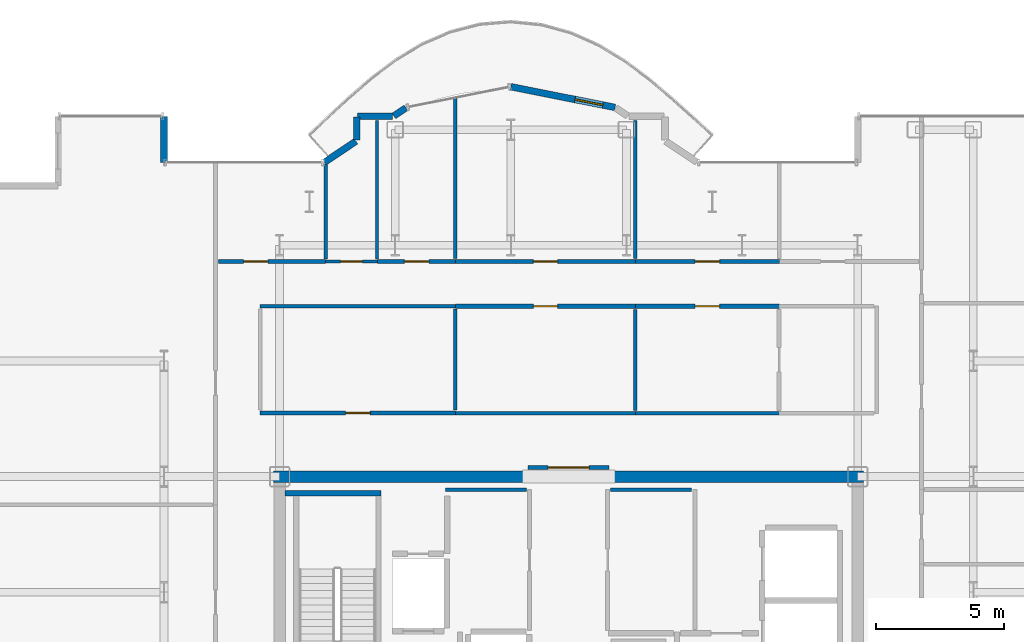
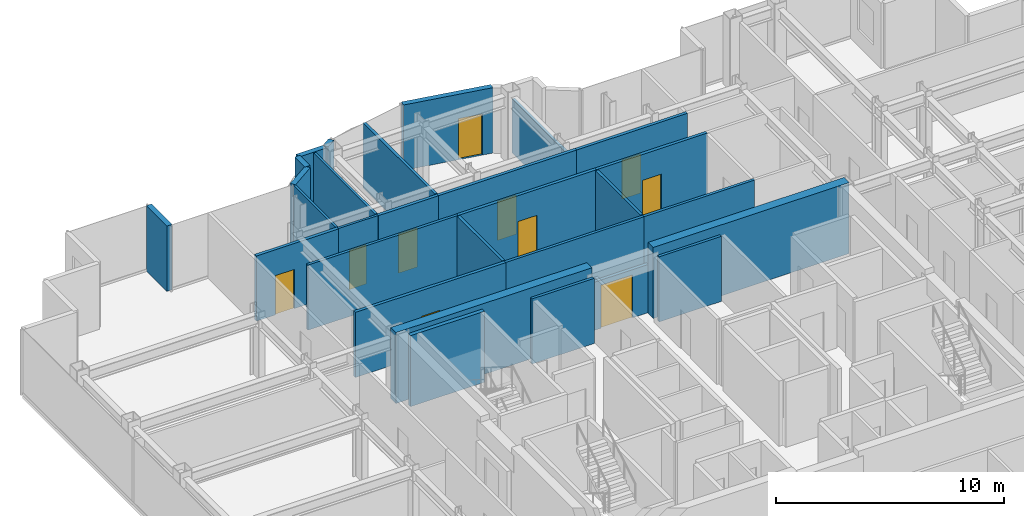
# One storey, part 18 of 21: 29 walls, 10 doors, 10 openings.
"""IFC4 building model written with IfcOpenShell, lengths in metres."""

from ifc_helpers import new_model, si_unit, direction, frame, frame_2d, origin, place, context, subcontext, project, spatial, rectangle, extrude, source, transform, mapped, material, layer, layer_set, type_object, element, fill, save


model = new_model("IFC4")

# Units and contexts
model_context = context("Model", 3, precision=1e-05, world=origin(), true_north=direction((0.0, 1.0)))
body_context = subcontext(model_context, "Body", "Model", "MODEL_VIEW")
ifc_project = project(units=[si_unit("LENGTHUNIT", "METRE"), si_unit("AREAUNIT", "SQUARE_METRE"), si_unit("VOLUMEUNIT", "CUBIC_METRE"), si_unit("PLANEANGLEUNIT", "RADIAN"), si_unit("MASSUNIT", "GRAM", prefix="KILO")], contexts=[model_context])

# Site, building, storey
site_placement = place(None, origin())
site = spatial("IfcSite", under=ifc_project, at=site_placement, CompositionType="ELEMENT")
building_placement = place(site_placement, origin())
building = spatial("IfcBuilding", under=site, at=building_placement, Name="Nefas-Gora Pilgrimage Tower", CompositionType="ELEMENT")
storey_placement = place(building_placement, frame((0.0, 0.0, 256.0)))
storey = spatial("IfcBuildingStorey", under=building, at=storey_placement, Name="L64", CompositionType="ELEMENT", Elevation=256.0)

# Walls
ifc_material_1 = material(Name="Concrete C50/60", Category="concrete")
ifc_layer_1 = layer(ifc_material_1, 0.449951171875)
ifc_layer_set_1 = layer_set([ifc_layer_1], Name="Concrete C50/60")
wall_type_1 = type_object("IfcWallType", Name="SW-CORE-450", PredefinedType="SHEAR", material=ifc_layer_set_1)
shared_shape_1 = source(origin(), body_context, "Body", "SweptSolid", [
    extrude(rectangle(XDim=9.925048828125, YDim=0.449951171875, at=frame_2d((4.96240234375, 0.0))), origin(), (0.0, 0.0, 1.0), 3.800048828125),
])
for number, where, z_axis, x_axis, name in (
    (1, (-11.47509765625, 9.0, 0.0), (0.0, 0.0, 1.0), (1.0, 0.0, 0.0), "L64 Core Shear Wall N-West"),
    (2, (1.550048828125, 9.0, 0.0), (0.0, 0.0, 1.0), (1.0, 0.0, 0.0), "L64 Core Shear Wall N-East"),
):
    element("IfcWall", number, at=place(storey_placement, frame(where, z_axis=z_axis, x_axis=x_axis)), inside=storey, type_object=wall_type_1, Name=name, PredefinedType="SHEAR", context=body_context, shape_type="MappedRepresentation", body=[
        mapped(shared_shape_1, transform((0.0, 0.0, 0.0), x_axis=(1.0, 0.0, 0.0), y_axis=(0.0, 1.0, 0.0), z_axis=(0.0, 0.0, 1.0), scale=1.0)),
    ])
ifc_material_2 = material(Name="Precast concrete C40/50", Category="concrete")
ifc_layer_2 = layer(ifc_material_2, 0.260009765625)
ifc_layer_set_2 = layer_set([ifc_layer_2], Name="Precast concrete C40/50")
wall_type_2 = type_object("IfcWallType", Name="EW-PORTAL-260", PredefinedType="SOLIDWALL", material=ifc_layer_set_2)
shared_shape_2 = source(origin(), body_context, "Body", "SweptSolid", [
    extrude(rectangle(XDim=1.800048828125, YDim=0.260009765625, at=frame_2d((0.89990234375, 0.0))), origin(), (0.0, 0.0, 1.0), 3.5),
])
wall_1_placement = place(storey_placement, frame((-15.75, 21.219970703125, 0.0), z_axis=(0.0, 0.0, 1.0), x_axis=(0.0, 1.0, 0.0)))
element("IfcWall", 3, at=wall_1_placement, inside=storey, type_object=wall_type_2, Name="L64 Lobe Shoulder Precast Spandrel Pier 20", PredefinedType="SOLIDWALL", context=body_context, shape_type="MappedRepresentation", body=[
    mapped(shared_shape_2, transform((0.0, 0.0, 0.0), x_axis=(1.0, 0.0, 0.0), y_axis=(0.0, 1.0, 0.0), z_axis=(0.0, 0.0, 1.0), scale=1.0)),
])
shared_shape_3 = source(origin(), body_context, "Body", "SweptSolid", [
    extrude(rectangle(XDim=1.468994140625, YDim=0.260009765625, at=frame_2d((0.734375, 0.0))), origin(), (0.0, 0.0, 1.0), 3.5),
])
wall_2_placement = place(storey_placement, frame((-8.273193359375, 22.0517578125, 0.0), z_axis=(0.0, 0.0, 1.0), x_axis=(-0.831461760506, -0.555581983884, 0.0)))
element("IfcWall", 4, at=wall_2_placement, inside=storey, type_object=wall_type_2, Name="L64 Lobe Shoulder Precast Spandrel Pier 19", PredefinedType="SOLIDWALL", context=body_context, shape_type="MappedRepresentation", body=[
    mapped(shared_shape_3, transform((0.0, 0.0, 0.0), x_axis=(1.0, 0.0, 0.0), y_axis=(0.0, 1.0, 0.0), z_axis=(0.0, 0.0, 1.0), scale=1.0)),
])
shared_shape_4 = source(origin(), body_context, "Body", "SweptSolid", [
    extrude(rectangle(XDim=0.896728515625, YDim=0.260009765625, at=frame_2d((0.4482421875, 0.0))), origin(), (0.0, 0.0, 1.0), 3.5),
])
wall_3_placement = place(storey_placement, frame((-8.25, 22.991943359375, 0.0), z_axis=(0.0, 0.0, 1.0), x_axis=(0.0, -1.0, 0.0)))
element("IfcWall", 5, at=wall_3_placement, inside=storey, type_object=wall_type_2, Name="L64 Lobe Shoulder Precast Spandrel Pier 18", PredefinedType="SOLIDWALL", context=body_context, shape_type="MappedRepresentation", body=[
    mapped(shared_shape_4, transform((0.0, 0.0, 0.0), x_axis=(1.0, 0.0, 0.0), y_axis=(0.0, 1.0, 0.0), z_axis=(0.0, 0.0, 1.0), scale=1.0)),
])
shared_shape_5 = source(origin(), body_context, "Body", "SweptSolid", [
    extrude(rectangle(XDim=1.369873046875, YDim=0.260009765625, at=frame_2d((0.68505859375, 0.0))), origin(), (0.0, 0.0, 1.0), 3.5),
])
wall_4_placement = place(storey_placement, frame((-6.85205078125, 23.02001953125, 0.0), z_axis=(0.0, 0.0, 1.0), x_axis=(-1.0, 0.0, 0.0)))
element("IfcWall", 6, at=wall_4_placement, inside=storey, type_object=wall_type_2, Name="L64 Lobe Shoulder Precast Spandrel Pier 17", PredefinedType="SOLIDWALL", context=body_context, shape_type="MappedRepresentation", body=[
    mapped(shared_shape_5, transform((0.0, 0.0, 0.0), x_axis=(1.0, 0.0, 0.0), y_axis=(0.0, 1.0, 0.0), z_axis=(0.0, 0.0, 1.0), scale=1.0)),
])
shared_shape_6 = source(origin(), body_context, "Body", "SweptSolid", [
    extrude(rectangle(XDim=0.5654296875, YDim=0.260009765625, at=frame_2d((0.28271484375, 0.0))), origin(), (0.0, 0.0, 1.0), 3.5),
])
wall_5_placement = place(storey_placement, frame((-6.33056640625, 23.349609375, 0.0), z_axis=(0.0, 0.0, 1.0), x_axis=(-0.831651492666, -0.555297933317, 0.0)))
element("IfcWall", 7, at=wall_5_placement, inside=storey, type_object=wall_type_2, Name="L64 Lobe Shoulder Precast Spandrel Pier 16", PredefinedType="SOLIDWALL", context=body_context, shape_type="MappedRepresentation", body=[
    mapped(shared_shape_6, transform((0.0, 0.0, 0.0), x_axis=(1.0, 0.0, 0.0), y_axis=(0.0, 1.0, 0.0), z_axis=(0.0, 0.0, 1.0), scale=1.0)),
])

# Wall, opening, door
shared_shape_7 = source(origin(), body_context, "Body", "SweptSolid", [
    extrude(rectangle(XDim=4.136962890625, YDim=0.260009765625, at=frame_2d((2.068359375, 0.0))), origin(), (0.0, 0.0, 1.0), 3.5),
])
wall_6_placement = place(storey_placement, frame((1.807373046875, 23.365234375, 0.0), z_axis=(0.0, 0.0, 1.0), x_axis=(-0.980782170794, 0.195105954428, 0.0)))
wall_6 = element("IfcWall", 8, at=wall_6_placement, inside=storey, type_object=wall_type_2, Name="L64 Insulated Terrace Portal Wall 15", PredefinedType="SOLIDWALL", context=body_context, shape_type="MappedRepresentation", body=[
    mapped(shared_shape_7, transform((0.0, 0.0, 0.0), x_axis=(1.0, 0.0, 0.0), y_axis=(0.0, 1.0, 0.0), z_axis=(0.0, 0.0, 1.0), scale=1.0)),
])
opening_1_placement = place(wall_6_placement, frame((0.48779296875, 0.0, 0.0)))
opening_1 = element("IfcOpeningElement", 9, at=opening_1_placement, cuts=wall_6, Name="Opening ED-B1", PredefinedType="OPENING", context=body_context, shape_type="SweptSolid", body=[
    extrude(rectangle(XDim=1.10009765625, YDim=2.199951171875, at=frame_2d((0.550048828125, 1.10009765625))), frame((0.0, 0.139892578125, 0.0), z_axis=(0.0, -1.0, 0.0), x_axis=(1.0, 0.0, 0.0)), (0.0, 0.0, 1.0), 0.280029296875),
])
ifc_material_3 = material(Name="Thermally broken glazed aluminium balcony door", Category="aluminium")
door_type_1 = type_object("IfcDoorType", Name="DR-EXT-BAL-1100", OperationType="NOTDEFINED", PredefinedType="DOOR", material=ifc_material_3)
shared_shape_8 = source(origin(), body_context, "Body", "SweptSolid", [
    extrude(rectangle(XDim=1.10009765625, YDim=2.199951171875, at=frame_2d((0.550048828125, 1.10009765625))), frame((0.0, 0.02490234375, 0.0), z_axis=(0.0, -1.0, 0.0), x_axis=(1.0, 0.0, 0.0)), (0.0, 0.0, 1.0), 0.050048828125),
])
door_1_placement = place(opening_1_placement, origin())
door_1 = element("IfcDoor", 10, at=door_1_placement, inside=storey, type_object=door_type_1, Name="L64 Exterior Door (L64 N Lobe Wave Balcony)", OperationType="SINGLE_SWING_LEFT", OverallHeight=2.199951171875, OverallWidth=1.10009765625, PredefinedType="DOOR", context=body_context, shape_type="MappedRepresentation", body=[
    mapped(shared_shape_8, transform((0.0, 0.0, 0.0), x_axis=(1.0, 0.0, 0.0), y_axis=(0.0, 1.0, 0.0), z_axis=(0.0, 0.0, 1.0), scale=1.0)),
])
fill(opening_1, door_1)

# Wall
ifc_material_4 = material(Name="Concrete C45/55", Category="concrete")
ifc_layer_3 = layer(ifc_material_4, 0.199951171875)
ifc_layer_set_3 = layer_set([ifc_layer_3], Name="Concrete C45/55")
wall_type_3 = type_object("IfcWallType", Name="IW-STAIR-200", PredefinedType="SOLIDWALL", material=ifc_layer_set_3)
shared_shape_9 = source(origin(), body_context, "Body", "SweptSolid", [
    extrude(rectangle(XDim=3.72998046875, YDim=0.199951171875, at=frame_2d((1.864990234375, 0.0))), origin(), (0.0, 0.0, 1.0), 3.800048828125),
])
wall_7_placement = place(storey_placement, frame((-7.300048828125, 8.35009765625, 0.0), z_axis=(0.0, 0.0, 1.0), x_axis=(-1.0, 0.0, 0.0)))
element("IfcWall", 11, at=wall_7_placement, inside=storey, type_object=wall_type_3, Name="L64 Stairwell Shear Wall ST-01-far", PredefinedType="SOLIDWALL", context=body_context, shape_type="MappedRepresentation", body=[
    mapped(shared_shape_9, transform((0.0, 0.0, 0.0), x_axis=(1.0, 0.0, 0.0), y_axis=(0.0, 1.0, 0.0), z_axis=(0.0, 0.0, 1.0), scale=1.0)),
])

# Wall, opening, door
ifc_material_5 = material(Name="Moisture-resistant fire-rated gypsum partition")
ifc_layer_4 = layer(ifc_material_5, 0.1201171875)
ifc_layer_set_4 = layer_set([ifc_layer_4], Name="Moisture-resistant fire-rated gypsum partition")
wall_type_4 = type_object("IfcWallType", Name="IW-WET-120", PredefinedType="PLUMBINGWALL", material=ifc_layer_set_4)
shared_shape_10 = source(origin(), body_context, "Body", "SweptSolid", [
    extrude(rectangle(XDim=2.02001953125, YDim=0.1201171875, at=frame_2d((1.010009765625, 0.0))), origin(), (0.0, 0.0, 1.0), 3.485107421875),
])
wall_8_placement = place(storey_placement, frame((-9.4599609375, 17.3701171875, 0.0), z_axis=(0.0, 0.0, 1.0), x_axis=(1.0, 0.0, 0.0)))
wall_8 = element("IfcWall", 12, at=wall_8_placement, inside=storey, type_object=wall_type_4, Name="L64 Accessible Unisex WC Partition Wall 25", PredefinedType="PLUMBINGWALL", context=body_context, shape_type="MappedRepresentation", body=[
    mapped(shared_shape_10, transform((0.0, 0.0, 0.0), x_axis=(1.0, 0.0, 0.0), y_axis=(0.0, 1.0, 0.0), z_axis=(0.0, 0.0, 1.0), scale=1.0)),
])
opening_2_placement = place(wall_8_placement, frame((0.5849609375, 0.0, 0.0)))
opening_2 = element("IfcOpeningElement", 13, at=opening_2_placement, cuts=wall_8, Name="Opening ID-BT1", PredefinedType="OPENING", context=body_context, shape_type="SweptSolid", body=[
    extrude(rectangle(XDim=0.85009765625, YDim=2.10009765625, at=frame_2d((0.425048828125, 1.050048828125))), frame((0.0, 0.070068359375, 0.0), z_axis=(0.0, -1.0, 0.0), x_axis=(1.0, 0.0, 0.0)), (0.0, 0.0, 1.0), 0.14013671875),
])
ifc_material_6 = material(Name="Moisture-resistant fire-rated timber door", Category="wood")
door_type_2 = type_object("IfcDoorType", Name="DR-INT-BATH-850", OperationType="NOTDEFINED", PredefinedType="DOOR", material=ifc_material_6)
shared_shape_11 = source(origin(), body_context, "Body", "SweptSolid", [
    extrude(rectangle(XDim=0.85009765625, YDim=2.10009765625, at=frame_2d((0.425048828125, 1.050048828125))), frame((0.0, 0.02490234375, 0.0), z_axis=(0.0, -1.0, 0.0), x_axis=(1.0, 0.0, 0.0)), (0.0, 0.0, 1.0), 0.050048828125),
])
door_2_placement = place(opening_2_placement, origin())
door_2 = element("IfcDoor", 14, at=door_2_placement, inside=storey, type_object=door_type_2, Name="L64 Accessible Unisex WC Door 10", OperationType="SINGLE_SWING_RIGHT", OverallHeight=2.10009765625, OverallWidth=0.85009765625, PredefinedType="DOOR", context=body_context, shape_type="MappedRepresentation", body=[
    mapped(shared_shape_11, transform((0.0, 0.0, 0.0), x_axis=(1.0, 0.0, 0.0), y_axis=(0.0, 1.0, 0.0), z_axis=(0.0, 0.0, 1.0), scale=1.0)),
])
fill(opening_2, door_2)

# Walls
ifc_material_7 = material(Name="Gypsum twin-stud partition")
ifc_layer_5 = layer(ifc_material_7, 0.139892578125)
ifc_layer_set_5 = layer_set([ifc_layer_5], Name="Gypsum twin-stud partition")
wall_type_5 = type_object("IfcWallType", Name="IW-UNIT-140", PredefinedType="PARTITIONING", material=ifc_layer_set_5)
shared_shape_12 = source(origin(), body_context, "Body", "SweptSolid", [
    extrude(rectangle(XDim=3.150146484375, YDim=0.139892578125, at=frame_2d((1.5751953125, 0.0))), origin(), (0.0, 0.0, 1.0), 3.485107421875),
])
for number, where, z_axis, x_axis, name in (
    (15, (-4.7900390625, 8.47998046875, 0.0), (0.0, 0.0, 1.0), (1.0, 0.0, 0.0), "L64 Housekeeping and Linen Store Partition Wall 19"),
    (16, (1.639892578125, 8.47998046875, 0.0), (0.0, 0.0, 1.0), (1.0, 0.0, 0.0), "L64 Freed Bank-1 Amenity Supply Store Partition Wall 24"),
):
    element("IfcWall", number, at=place(storey_placement, frame(where, z_axis=z_axis, x_axis=x_axis)), inside=storey, type_object=wall_type_5, Name=name, PredefinedType="PARTITIONING", context=body_context, shape_type="MappedRepresentation", body=[
        mapped(shared_shape_12, transform((0.0, 0.0, 0.0), x_axis=(1.0, 0.0, 0.0), y_axis=(0.0, 1.0, 0.0), z_axis=(0.0, 0.0, 1.0), scale=1.0)),
    ])

# Wall, opening, door
ifc_material_8 = material(Name="Gypsum acoustic stud partition")
ifc_layer_6 = layer(ifc_material_8, 0.159912109375)
ifc_layer_set_6 = layer_set([ifc_layer_6], Name="Gypsum acoustic stud partition")
wall_type_6 = type_object("IfcWallType", Name="IW-CORR-160", PredefinedType="PARTITIONING", material=ifc_layer_set_6)
shared_shape_13 = source(origin(), body_context, "Body", "SweptSolid", [
    extrude(rectangle(XDim=5.610107421875, YDim=0.159912109375, at=frame_2d((2.80517578125, 0.0))), origin(), (0.0, 0.0, 1.0), 3.485107421875),
])
wall_9_placement = place(storey_placement, frame((2.594970703125, 17.3701171875, 0.0), z_axis=(0.0, 0.0, 1.0), x_axis=(1.0, 0.0, 0.0)))
wall_9 = element("IfcWall", 17, at=wall_9_placement, inside=storey, type_object=wall_type_6, Name="L64 Pilgrim Contemplative Lounge Partition Wall 66", PredefinedType="PARTITIONING", context=body_context, shape_type="MappedRepresentation", body=[
    mapped(shared_shape_13, transform((0.0, 0.0, 0.0), x_axis=(1.0, 0.0, 0.0), y_axis=(0.0, 1.0, 0.0), z_axis=(0.0, 0.0, 1.0), scale=1.0)),
])
opening_3_placement = place(wall_9_placement, frame((2.330078125, 0.0, 0.0)))
opening_3 = element("IfcOpeningElement", 18, at=opening_3_placement, cuts=wall_9, Name="Opening ID-GR1", PredefinedType="OPENING", context=body_context, shape_type="SweptSolid", body=[
    extrude(rectangle(XDim=0.949951171875, YDim=2.10009765625, at=frame_2d((0.47509765625, 1.050048828125))), frame((0.0, 0.08984375, 0.0), z_axis=(0.0, -1.0, 0.0), x_axis=(1.0, 0.0, 0.0)), (0.0, 0.0, 1.0), 0.179931640625),
])
ifc_material_9 = material(Name="Solid core oak fire-rated guest entrance door")
door_type_3 = type_object("IfcDoorType", Name="DR-INT-GUEST-950", OperationType="NOTDEFINED", PredefinedType="DOOR", material=ifc_material_9)
shared_shape_14 = source(origin(), body_context, "Body", "SweptSolid", [
    extrude(rectangle(XDim=0.949951171875, YDim=2.10009765625, at=frame_2d((0.47509765625, 1.050048828125))), frame((0.0, 0.02490234375, 0.0), z_axis=(0.0, -1.0, 0.0), x_axis=(1.0, 0.0, 0.0)), (0.0, 0.0, 1.0), 0.050048828125),
])
door_3_placement = place(opening_3_placement, origin())
door_3 = element("IfcDoor", 19, at=door_3_placement, inside=storey, type_object=door_type_3, Name="L64 Pilgrim Contemplative Lounge Door 30", OperationType="SINGLE_SWING_RIGHT", OverallHeight=2.10009765625, OverallWidth=0.949951171875, PredefinedType="DOOR", context=body_context, shape_type="MappedRepresentation", body=[
    mapped(shared_shape_14, transform((0.0, 0.0, 0.0), x_axis=(1.0, 0.0, 0.0), y_axis=(0.0, 1.0, 0.0), z_axis=(0.0, 0.0, 1.0), scale=1.0)),
])
fill(opening_3, door_3)

wall_10_placement = place(storey_placement, frame((2.594970703125, 15.6298828125, 0.0), z_axis=(0.0, 0.0, 1.0), x_axis=(1.0, 0.0, 0.0)))
wall_10 = element("IfcWall", 20, at=wall_10_placement, inside=storey, type_object=wall_type_6, Name="L64 Pilgrim Contemplative Lounge Partition Wall 68", PredefinedType="PARTITIONING", context=body_context, shape_type="MappedRepresentation", body=[
    mapped(shared_shape_13, transform((0.0, 0.0, 0.0), x_axis=(1.0, 0.0, 0.0), y_axis=(0.0, 1.0, 0.0), z_axis=(0.0, 0.0, 1.0), scale=1.0)),
])
opening_4_placement = place(wall_10_placement, frame((2.330078125, 0.0, 0.0)))
opening_4 = element("IfcOpeningElement", 21, at=opening_4_placement, cuts=wall_10, Name="Opening ID-GR1", PredefinedType="OPENING", context=body_context, shape_type="SweptSolid", body=[
    extrude(rectangle(XDim=0.949951171875, YDim=2.10009765625, at=frame_2d((0.47509765625, 1.050048828125))), frame((0.0, 0.08984375, 0.0), z_axis=(0.0, -1.0, 0.0), x_axis=(1.0, 0.0, 0.0)), (0.0, 0.0, 1.0), 0.179931640625),
])
door_4_placement = place(opening_4_placement, origin())
door_4 = element("IfcDoor", 22, at=door_4_placement, inside=storey, type_object=door_type_3, Name="L64 Pilgrim Contemplative Lounge Door 31", OperationType="SINGLE_SWING_LEFT", OverallHeight=2.10009765625, OverallWidth=0.949951171875, PredefinedType="DOOR", context=body_context, shape_type="MappedRepresentation", body=[
    mapped(shared_shape_14, transform((0.0, 0.0, 0.0), x_axis=(1.0, 0.0, 0.0), y_axis=(0.0, 1.0, 0.0), z_axis=(0.0, 0.0, 1.0), scale=1.0)),
])
fill(opening_4, door_4)

# Walls
shared_shape_15 = source(origin(), body_context, "Body", "SweptSolid", [
    extrude(rectangle(XDim=5.360107421875, YDim=0.139892578125, at=frame_2d((2.68017578125, 0.0))), origin(), (0.0, 0.0, 1.0), 2.875),
])
wall_11_placement = place(storey_placement, frame((2.594970703125, 17.489990234375, 0.0), z_axis=(0.0, 0.0, 1.0), x_axis=(0.0, 1.0, 0.0)))
element("IfcWall", 23, at=wall_11_placement, inside=storey, type_object=wall_type_5, Name="L64 Pilgrim Contemplative Lounge Partition Wall 62", PredefinedType="PARTITIONING", context=body_context, shape_type="MappedRepresentation", body=[
    mapped(shared_shape_15, transform((0.0, 0.0, 0.0), x_axis=(1.0, 0.0, 0.0), y_axis=(0.0, 1.0, 0.0), z_axis=(0.0, 0.0, 1.0), scale=1.0)),
])
shared_shape_16 = source(origin(), body_context, "Body", "SweptSolid", [
    extrude(rectangle(XDim=5.380126953125, YDim=0.1201171875, at=frame_2d((2.68994140625, 0.0))), origin(), (0.0, 0.0, 1.0), 3.485107421875),
])
wall_12_placement = place(storey_placement, frame((-7.449951171875, 17.469970703125, 0.0), z_axis=(0.0, 0.0, 1.0), x_axis=(0.0, 1.0, 0.0)))
element("IfcWall", 24, at=wall_12_placement, inside=storey, type_object=wall_type_4, Name="L64 Accessible Unisex WC Partition Wall 26", PredefinedType="PLUMBINGWALL", context=body_context, shape_type="MappedRepresentation", body=[
    mapped(shared_shape_16, transform((0.0, 0.0, 0.0), x_axis=(1.0, 0.0, 0.0), y_axis=(0.0, 1.0, 0.0), z_axis=(0.0, 0.0, 1.0), scale=1.0)),
])
shared_shape_17 = source(origin(), body_context, "Body", "SweptSolid", [
    extrude(rectangle(XDim=3.686767578125, YDim=0.1201171875, at=frame_2d((1.84326171875, 0.0))), origin(), (0.0, 0.0, 1.0), 3.485107421875),
])
wall_13_placement = place(storey_placement, frame((-9.449951171875, 17.469970703125, 0.0), z_axis=(0.0, 0.0, 1.0), x_axis=(0.0, 1.0, 0.0)))
element("IfcWall", 25, at=wall_13_placement, inside=storey, type_object=wall_type_4, Name="L64 Accessible Unisex WC Partition Wall 27", PredefinedType="PLUMBINGWALL", context=body_context, shape_type="MappedRepresentation", body=[
    mapped(shared_shape_17, transform((0.0, 0.0, 0.0), x_axis=(1.0, 0.0, 0.0), y_axis=(0.0, 1.0, 0.0), z_axis=(0.0, 0.0, 1.0), scale=1.0)),
])
shared_shape_18 = source(origin(), body_context, "Body", "SweptSolid", [
    extrude(rectangle(XDim=3.929931640625, YDim=0.139892578125, at=frame_2d((1.96484375, 0.0))), origin(), (0.0, 0.0, 1.0), 3.485107421875),
])
for number, where, z_axis, x_axis, name in (
    (26, (-4.405029296875, 11.590087890625, 0.0), (0.0, 0.0, 1.0), (0.0, 1.0, 0.0), "L64 Pilgrim Contemplative Lounge Partition Wall 57"),
    (27, (2.594970703125, 11.580078125, 0.0), (0.0, 0.0, 1.0), (0.0, 1.0, 0.0), "L64 Pilgrim Contemplative Lounge Partition Wall 65"),
):
    element("IfcWall", number, at=place(storey_placement, frame(where, z_axis=z_axis, x_axis=x_axis)), inside=storey, type_object=wall_type_5, Name=name, PredefinedType="PARTITIONING", context=body_context, shape_type="MappedRepresentation", body=[
        mapped(shared_shape_18, transform((0.0, 0.0, 0.0), x_axis=(1.0, 0.0, 0.0), y_axis=(0.0, 1.0, 0.0), z_axis=(0.0, 0.0, 1.0), scale=1.0)),
    ])

# Wall, opening, door
shared_shape_19 = source(origin(), body_context, "Body", "SweptSolid", [
    extrude(rectangle(XDim=4.16015625, YDim=0.159912109375, at=frame_2d((2.080078125, 0.0))), origin(), (0.0, 0.0, 1.0), 3.485107421875),
])
wall_14_placement = place(storey_placement, frame((-13.6201171875, 17.3701171875, 0.0), z_axis=(0.0, 0.0, 1.0), x_axis=(1.0, 0.0, 0.0)))
wall_14 = element("IfcWall", 28, at=wall_14_placement, inside=storey, type_object=wall_type_6, Name="L64 Pilgrim Contemplative Lounge Partition Wall 60", PredefinedType="PARTITIONING", context=body_context, shape_type="MappedRepresentation", body=[
    mapped(shared_shape_19, transform((0.0, 0.0, 0.0), x_axis=(1.0, 0.0, 0.0), y_axis=(0.0, 1.0, 0.0), z_axis=(0.0, 0.0, 1.0), scale=1.0)),
])
opening_5_placement = place(wall_14_placement, frame((0.968994140625, 0.0, 0.0)))
opening_5 = element("IfcOpeningElement", 29, at=opening_5_placement, cuts=wall_14, Name="Opening ID-GR1", PredefinedType="OPENING", context=body_context, shape_type="SweptSolid", body=[
    extrude(rectangle(XDim=0.949951171875, YDim=2.10009765625, at=frame_2d((0.47509765625, 1.050048828125))), frame((0.0, 0.08984375, 0.0), z_axis=(0.0, -1.0, 0.0), x_axis=(1.0, 0.0, 0.0)), (0.0, 0.0, 1.0), 0.179931640625),
])
door_5_placement = place(opening_5_placement, origin())
door_5 = element("IfcDoor", 30, at=door_5_placement, inside=storey, type_object=door_type_3, Name="L64 Pilgrim Contemplative Lounge Door 27", OperationType="SINGLE_SWING_LEFT", OverallHeight=2.10009765625, OverallWidth=0.949951171875, PredefinedType="DOOR", context=body_context, shape_type="MappedRepresentation", body=[
    mapped(shared_shape_14, transform((0.0, 0.0, 0.0), x_axis=(1.0, 0.0, 0.0), y_axis=(0.0, 1.0, 0.0), z_axis=(0.0, 0.0, 1.0), scale=1.0)),
])
fill(opening_5, door_5)

shared_shape_20 = source(origin(), body_context, "Body", "SweptSolid", [
    extrude(rectangle(XDim=3.16015625, YDim=0.159912109375, at=frame_2d((1.580078125, 0.0))), origin(), (0.0, 0.0, 1.0), 2.574951171875),
])
wall_15_placement = place(storey_placement, frame((-1.580078125, 9.35009765625, 0.0), z_axis=(0.0, 0.0, 1.0), x_axis=(1.0, 0.0, 0.0)))
wall_15 = element("IfcWall", 31, at=wall_15_placement, inside=storey, type_object=wall_type_6, Name="L64 Central Lift Lobby North Portal Wall 15", PredefinedType="PARTITIONING", context=body_context, shape_type="MappedRepresentation", body=[
    mapped(shared_shape_20, transform((0.0, 0.0, 0.0), x_axis=(1.0, 0.0, 0.0), y_axis=(0.0, 1.0, 0.0), z_axis=(0.0, 0.0, 1.0), scale=1.0)),
])
opening_6_placement = place(wall_15_placement, frame((0.780029296875, 0.0, 0.0)))
opening_6 = element("IfcOpeningElement", 32, at=opening_6_placement, cuts=wall_15, Name="Opening ID-HL1", PredefinedType="OPENING", context=body_context, shape_type="SweptSolid", body=[
    extrude(rectangle(XDim=1.60009765625, YDim=2.300048828125, at=frame_2d((0.800048828125, 1.14990234375))), frame((0.0, 0.08984375, 0.0), z_axis=(0.0, -1.0, 0.0), x_axis=(1.0, 0.0, 0.0)), (0.0, 0.0, 1.0), 0.179931640625),
])
ifc_material_10 = material(Name="Double acoustic timber assembly hall door", Category="wood")
door_type_4 = type_object("IfcDoorType", Name="DR-INT-HALL-1600", OperationType="DOUBLE_DOOR_SINGLE_SWING", PredefinedType="DOOR", material=ifc_material_10)
shared_shape_21 = source(origin(), body_context, "Body", "SweptSolid", [
    extrude(rectangle(XDim=1.60009765625, YDim=2.300048828125, at=frame_2d((0.800048828125, 1.14990234375))), frame((0.0, 0.02490234375, 0.0), z_axis=(0.0, -1.0, 0.0), x_axis=(1.0, 0.0, 0.0)), (0.0, 0.0, 1.0), 0.050048828125),
])
door_6_placement = place(opening_6_placement, origin())
door_6 = element("IfcDoor", 33, at=door_6_placement, inside=storey, type_object=door_type_4, Name="L64 Central Lift Lobby North Portal Door 5", OperationType="DOUBLE_DOOR_SINGLE_SWING", OverallHeight=2.300048828125, OverallWidth=1.60009765625, PredefinedType="DOOR", context=body_context, shape_type="MappedRepresentation", body=[
    mapped(shared_shape_21, transform((0.0, 0.0, 0.0), x_axis=(1.0, 0.0, 0.0), y_axis=(0.0, 1.0, 0.0), z_axis=(0.0, 0.0, 1.0), scale=1.0)),
])
fill(opening_6, door_6)

shared_shape_22 = source(origin(), body_context, "Body", "SweptSolid", [
    extrude(rectangle(XDim=7.614990234375, YDim=0.159912109375, at=frame_2d((3.8076171875, 0.0))), origin(), (0.0, 0.0, 1.0), 3.485107421875),
])
wall_16_placement = place(storey_placement, frame((-12.010009765625, 11.469970703125, 0.0), z_axis=(0.0, 0.0, 1.0), x_axis=(1.0, 0.0, 0.0)))
wall_16 = element("IfcWall", 34, at=wall_16_placement, inside=storey, type_object=wall_type_6, Name="L64 Pilgrim Contemplative Lounge Partition Wall 54", PredefinedType="PARTITIONING", context=body_context, shape_type="MappedRepresentation", body=[
    mapped(shared_shape_22, transform((0.0, 0.0, 0.0), x_axis=(1.0, 0.0, 0.0), y_axis=(0.0, 1.0, 0.0), z_axis=(0.0, 0.0, 1.0), scale=1.0)),
])
opening_7_placement = place(wall_16_placement, frame((3.33251953125, 0.0, 0.0)))
opening_7 = element("IfcOpeningElement", 35, at=opening_7_placement, cuts=wall_16, Name="Opening ID-GR1", PredefinedType="OPENING", context=body_context, shape_type="SweptSolid", body=[
    extrude(rectangle(XDim=0.949951171875, YDim=2.10009765625, at=frame_2d((0.47509765625, 1.050048828125))), frame((0.0, 0.08984375, 0.0), z_axis=(0.0, -1.0, 0.0), x_axis=(1.0, 0.0, 0.0)), (0.0, 0.0, 1.0), 0.179931640625),
])
door_7_placement = place(opening_7_placement, origin())
door_7 = element("IfcDoor", 36, at=door_7_placement, inside=storey, type_object=door_type_3, Name="L64 Pilgrim Contemplative Lounge Door 25", OperationType="SINGLE_SWING_LEFT", OverallHeight=2.10009765625, OverallWidth=0.949951171875, PredefinedType="DOOR", context=body_context, shape_type="MappedRepresentation", body=[
    mapped(shared_shape_14, transform((0.0, 0.0, 0.0), x_axis=(1.0, 0.0, 0.0), y_axis=(0.0, 1.0, 0.0), z_axis=(0.0, 0.0, 1.0), scale=1.0)),
])
fill(opening_7, door_7)

# Wall
shared_shape_23 = source(origin(), body_context, "Body", "SweptSolid", [
    extrude(rectangle(XDim=7.614990234375, YDim=0.139892578125, at=frame_2d((3.8076171875, 0.0))), origin(), (0.0, 0.0, 1.0), 3.485107421875),
])
wall_17_placement = place(storey_placement, frame((-12.010009765625, 15.6298828125, 0.0), z_axis=(0.0, 0.0, 1.0), x_axis=(1.0, 0.0, 0.0)))
element("IfcWall", 37, at=wall_17_placement, inside=storey, type_object=wall_type_5, Name="L64 Pilgrim Contemplative Lounge Partition Wall 55", PredefinedType="PARTITIONING", context=body_context, shape_type="MappedRepresentation", body=[
    mapped(shared_shape_23, transform((0.0, 0.0, 0.0), x_axis=(1.0, 0.0, 0.0), y_axis=(0.0, 1.0, 0.0), z_axis=(0.0, 0.0, 1.0), scale=1.0)),
])

# Wall, opening, door
shared_shape_24 = source(origin(), body_context, "Body", "SweptSolid", [
    extrude(rectangle(XDim=3.044921875, YDim=0.159912109375, at=frame_2d((1.5224609375, 0.0))), origin(), (0.0, 0.0, 1.0), 3.485107421875),
])
wall_18_placement = place(storey_placement, frame((-7.43994140625, 17.3701171875, 0.0), z_axis=(0.0, 0.0, 1.0), x_axis=(1.0, 0.0, 0.0)))
wall_18 = element("IfcWall", 38, at=wall_18_placement, inside=storey, type_object=wall_type_6, Name="L64 Pilgrim Contemplative Lounge Partition Wall 58", PredefinedType="PARTITIONING", context=body_context, shape_type="MappedRepresentation", body=[
    mapped(shared_shape_24, transform((0.0, 0.0, 0.0), x_axis=(1.0, 0.0, 0.0), y_axis=(0.0, 1.0, 0.0), z_axis=(0.0, 0.0, 1.0), scale=1.0)),
])
opening_8_placement = place(wall_18_placement, frame((1.047607421875, 0.0, 0.0)))
opening_8 = element("IfcOpeningElement", 39, at=opening_8_placement, cuts=wall_18, Name="Opening ID-GR1", PredefinedType="OPENING", context=body_context, shape_type="SweptSolid", body=[
    extrude(rectangle(XDim=0.949951171875, YDim=2.10009765625, at=frame_2d((0.47509765625, 1.050048828125))), frame((0.0, 0.08984375, 0.0), z_axis=(0.0, -1.0, 0.0), x_axis=(1.0, 0.0, 0.0)), (0.0, 0.0, 1.0), 0.179931640625),
])
door_8_placement = place(opening_8_placement, origin())
door_8 = element("IfcDoor", 40, at=door_8_placement, inside=storey, type_object=door_type_3, Name="L64 Pilgrim Contemplative Lounge Door 26", OperationType="SINGLE_SWING_RIGHT", OverallHeight=2.10009765625, OverallWidth=0.949951171875, PredefinedType="DOOR", context=body_context, shape_type="MappedRepresentation", body=[
    mapped(shared_shape_14, transform((0.0, 0.0, 0.0), x_axis=(1.0, 0.0, 0.0), y_axis=(0.0, 1.0, 0.0), z_axis=(0.0, 0.0, 1.0), scale=1.0)),
])
fill(opening_8, door_8)

# Wall
shared_shape_25 = source(origin(), body_context, "Body", "SweptSolid", [
    extrude(rectangle(XDim=6.276123046875, YDim=0.139892578125, at=frame_2d((3.13818359375, 0.0))), origin(), (0.0, 0.0, 1.0), 3.485107421875),
])
wall_19_placement = place(storey_placement, frame((-4.405029296875, 17.489990234375, 0.0), z_axis=(0.0, 0.0, 1.0), x_axis=(0.0, 1.0, 0.0)))
element("IfcWall", 41, at=wall_19_placement, inside=storey, type_object=wall_type_5, Name="L64 Pilgrim Contemplative Lounge Partition Wall 59", PredefinedType="PARTITIONING", context=body_context, shape_type="MappedRepresentation", body=[
    mapped(shared_shape_25, transform((0.0, 0.0, 0.0), x_axis=(1.0, 0.0, 0.0), y_axis=(0.0, 1.0, 0.0), z_axis=(0.0, 0.0, 1.0), scale=1.0)),
])

# Wall, opening, door
shared_shape_26 = source(origin(), body_context, "Body", "SweptSolid", [
    extrude(rectangle(XDim=7.010009765625, YDim=0.159912109375, at=frame_2d((3.5048828125, 0.0))), origin(), (0.0, 0.0, 1.0), 3.485107421875),
])
wall_20_placement = place(storey_placement, frame((-4.405029296875, 17.3701171875, 0.0), z_axis=(0.0, 0.0, 1.0), x_axis=(1.0, 0.0, 0.0)))
wall_20 = element("IfcWall", 42, at=wall_20_placement, inside=storey, type_object=wall_type_6, Name="L64 Pilgrim Contemplative Lounge Partition Wall 61", PredefinedType="PARTITIONING", context=body_context, shape_type="MappedRepresentation", body=[
    mapped(shared_shape_26, transform((0.0, 0.0, 0.0), x_axis=(1.0, 0.0, 0.0), y_axis=(0.0, 1.0, 0.0), z_axis=(0.0, 0.0, 1.0), scale=1.0)),
])
opening_9_placement = place(wall_20_placement, frame((3.030029296875, 0.0, 0.0)))
opening_9 = element("IfcOpeningElement", 43, at=opening_9_placement, cuts=wall_20, Name="Opening ID-GR1", PredefinedType="OPENING", context=body_context, shape_type="SweptSolid", body=[
    extrude(rectangle(XDim=0.949951171875, YDim=2.10009765625, at=frame_2d((0.47509765625, 1.050048828125))), frame((0.0, 0.08984375, 0.0), z_axis=(0.0, -1.0, 0.0), x_axis=(1.0, 0.0, 0.0)), (0.0, 0.0, 1.0), 0.179931640625),
])
door_9_placement = place(opening_9_placement, origin())
door_9 = element("IfcDoor", 44, at=door_9_placement, inside=storey, type_object=door_type_3, Name="L64 Pilgrim Contemplative Lounge Door 28", OperationType="SINGLE_SWING_RIGHT", OverallHeight=2.10009765625, OverallWidth=0.949951171875, PredefinedType="DOOR", context=body_context, shape_type="MappedRepresentation", body=[
    mapped(shared_shape_14, transform((0.0, 0.0, 0.0), x_axis=(1.0, 0.0, 0.0), y_axis=(0.0, 1.0, 0.0), z_axis=(0.0, 0.0, 1.0), scale=1.0)),
])
fill(opening_9, door_9)

wall_21_placement = place(storey_placement, frame((-4.405029296875, 15.6298828125, 0.0), z_axis=(0.0, 0.0, 1.0), x_axis=(1.0, 0.0, 0.0)))
wall_21 = element("IfcWall", 45, at=wall_21_placement, inside=storey, type_object=wall_type_6, Name="L64 Pilgrim Contemplative Lounge Partition Wall 63", PredefinedType="PARTITIONING", context=body_context, shape_type="MappedRepresentation", body=[
    mapped(shared_shape_26, transform((0.0, 0.0, 0.0), x_axis=(1.0, 0.0, 0.0), y_axis=(0.0, 1.0, 0.0), z_axis=(0.0, 0.0, 1.0), scale=1.0)),
])
opening_10_placement = place(wall_21_placement, frame((3.030029296875, 0.0, 0.0)))
opening_10 = element("IfcOpeningElement", 46, at=opening_10_placement, cuts=wall_21, Name="Opening ID-GR1", PredefinedType="OPENING", context=body_context, shape_type="SweptSolid", body=[
    extrude(rectangle(XDim=0.949951171875, YDim=2.10009765625, at=frame_2d((0.47509765625, 1.050048828125))), frame((0.0, 0.08984375, 0.0), z_axis=(0.0, -1.0, 0.0), x_axis=(1.0, 0.0, 0.0)), (0.0, 0.0, 1.0), 0.179931640625),
])
door_10_placement = place(opening_10_placement, origin())
door_10 = element("IfcDoor", 47, at=door_10_placement, inside=storey, type_object=door_type_3, Name="L64 Pilgrim Contemplative Lounge Door 29", OperationType="SINGLE_SWING_LEFT", OverallHeight=2.10009765625, OverallWidth=0.949951171875, PredefinedType="DOOR", context=body_context, shape_type="MappedRepresentation", body=[
    mapped(shared_shape_14, transform((0.0, 0.0, 0.0), x_axis=(1.0, 0.0, 0.0), y_axis=(0.0, 1.0, 0.0), z_axis=(0.0, 0.0, 1.0), scale=1.0)),
])
fill(opening_10, door_10)

# Walls
shared_shape_27 = source(origin(), body_context, "Body", "SweptSolid", [
    extrude(rectangle(XDim=7.010009765625, YDim=0.139892578125, at=frame_2d((3.5048828125, 0.0))), origin(), (0.0, 0.0, 1.0), 3.485107421875),
])
wall_22_placement = place(storey_placement, frame((-4.405029296875, 11.469970703125, 0.0), z_axis=(0.0, 0.0, 1.0), x_axis=(1.0, 0.0, 0.0)))
element("IfcWall", 48, at=wall_22_placement, inside=storey, type_object=wall_type_5, Name="L64 Pilgrim Contemplative Lounge Partition Wall 64", PredefinedType="PARTITIONING", context=body_context, shape_type="MappedRepresentation", body=[
    mapped(shared_shape_27, transform((0.0, 0.0, 0.0), x_axis=(1.0, 0.0, 0.0), y_axis=(0.0, 1.0, 0.0), z_axis=(0.0, 0.0, 1.0), scale=1.0)),
])
shared_shape_28 = source(origin(), body_context, "Body", "SweptSolid", [
    extrude(rectangle(XDim=5.610107421875, YDim=0.139892578125, at=frame_2d((2.80517578125, 0.0))), origin(), (0.0, 0.0, 1.0), 3.485107421875),
])
wall_23_placement = place(storey_placement, frame((2.594970703125, 11.469970703125, 0.0), z_axis=(0.0, 0.0, 1.0), x_axis=(1.0, 0.0, 0.0)))
element("IfcWall", 49, at=wall_23_placement, inside=storey, type_object=wall_type_5, Name="L64 Pilgrim Contemplative Lounge Partition Wall 69", PredefinedType="PARTITIONING", context=body_context, shape_type="MappedRepresentation", body=[
    mapped(shared_shape_28, transform((0.0, 0.0, 0.0), x_axis=(1.0, 0.0, 0.0), y_axis=(0.0, 1.0, 0.0), z_axis=(0.0, 0.0, 1.0), scale=1.0)),
])

save(model, "model.ifc")
